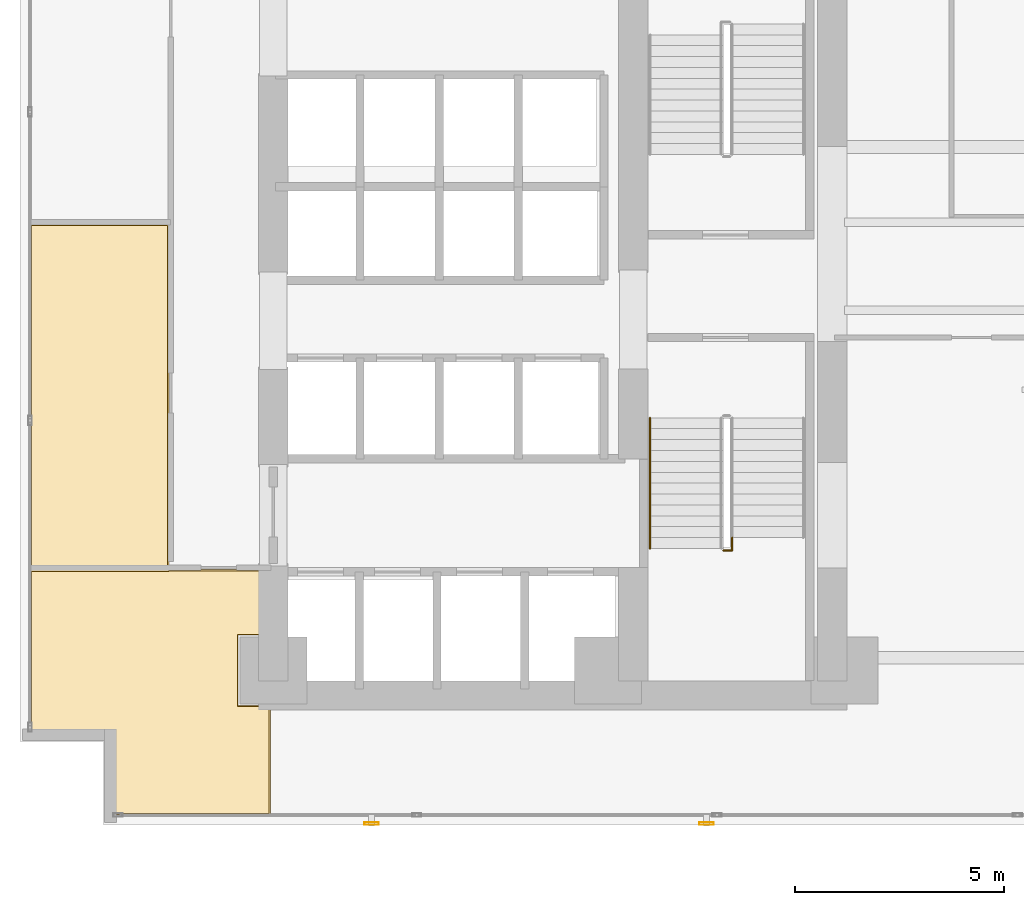
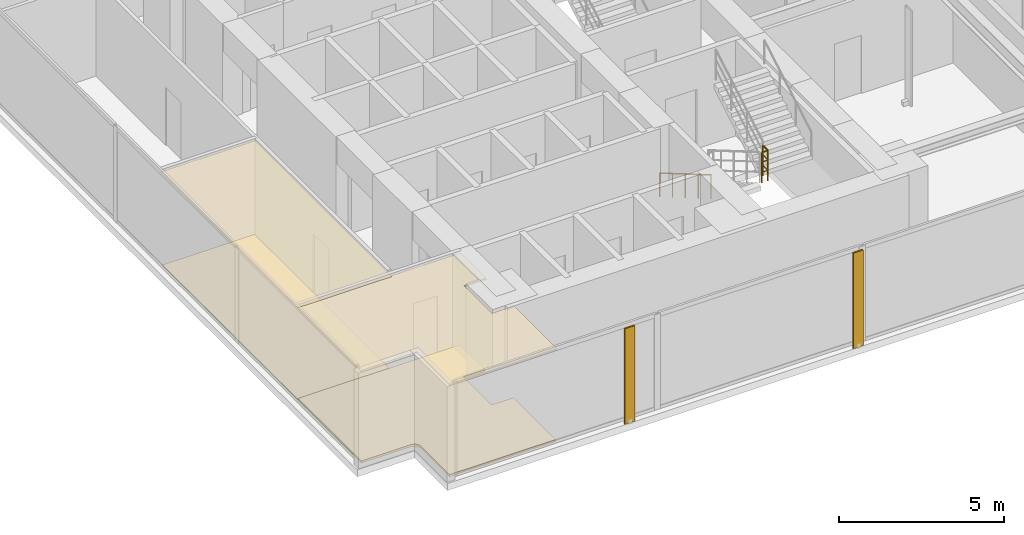
# One storey, part 27 of 31: 4 coverings, 2 railings, 2 shading devices.
"""IFC4 building model written with IfcOpenShell, lengths in metres."""

from ifc_helpers import new_model, si_unit, direction, frame, origin, origin_2d, place, context, subcontext, project, spatial, polyline, hollow_rectangle, circle, outline, extrude, material, layer, layer_set, material_profile, profile_set, type_object, element, save


model = new_model("IFC4")

# Units and contexts
model_context = context("Model", 3, precision=1e-05, world=origin(), true_north=direction((0.0, 1.0)))
body_context = subcontext(model_context, "Body", "Model", "MODEL_VIEW")
ifc_project = project(units=[si_unit("LENGTHUNIT", "METRE"), si_unit("AREAUNIT", "SQUARE_METRE"), si_unit("VOLUMEUNIT", "CUBIC_METRE"), si_unit("PLANEANGLEUNIT", "RADIAN"), si_unit("MASSUNIT", "GRAM", prefix="KILO")], contexts=[model_context])

# Site, building, storey
site_placement = place(None, origin())
site = spatial("IfcSite", under=ifc_project, at=site_placement, CompositionType="ELEMENT")
building_placement = place(site_placement, origin())
building = spatial("IfcBuilding", under=site, at=building_placement, Name="Kolvaren Waterfront Exchange", CompositionType="ELEMENT")
storey_placement = place(building_placement, frame((0.0, 0.0, 67.60009765625)))
storey = spatial("IfcBuildingStorey", under=building, at=storey_placement, Name="L17", CompositionType="ELEMENT", Elevation=67.60009765625)

# Coverings
ifc_material_1 = material(Name="Mineral fibre acoustic ceiling tile")
ifc_layer_1 = layer(ifc_material_1, 0.02490234375, Name="Mineral fibre acoustic ceiling tile")
ifc_layer_set_1 = layer_set([ifc_layer_1], Name="Mineral fibre acoustic ceiling tile")
covering_type_1 = type_object("IfcCoveringType", Name="ARC-CEIL-ACOUSTIC-25", PredefinedType="CEILING", material=ifc_layer_set_1)
covering_1_placement = place(storey_placement, frame((0.0, 0.0, 3.4248046875)))
element("IfcCovering", 1, at=covering_1_placement, inside=storey, type_object=covering_type_1, Name="L17 acoustic suspended ceiling 3", PredefinedType="CEILING", context=body_context, shape_type="SweptSolid", body=[
    extrude(outline(polyline([(1.64501953125, 7.2548828125), (4.955078125, 7.2548828125), (4.955078125, 15.554931640625), (1.64501953125, 15.554931640625), (1.64501953125, 7.2548828125)])), origin(), (0.0, 0.0, 1.0), 0.025146484375),
])
ifc_material_2 = material(Name="Perforated bronze acoustic ceiling panel", Category="aluminium")
ifc_layer_2 = layer(ifc_material_2, 0.054931640625, Name="Perforated bronze acoustic ceiling panel")
ifc_layer_set_2 = layer_set([ifc_layer_2], Name="Perforated bronze acoustic ceiling panel")
covering_type_2 = type_object("IfcCoveringType", Name="ARC-CEIL-BAFFLE-55", PredefinedType="CEILING", material=ifc_layer_set_2)
covering_2_placement = place(storey_placement, frame((0.0, 0.0, 3.39501953125)))
element("IfcCovering", 2, at=covering_2_placement, inside=storey, type_object=covering_type_2, Name="L17 acoustic suspended ceiling 2", PredefinedType="CEILING", context=body_context, shape_type="SweptSolid", body=[
    extrude(outline(polyline([(7.385009765625, 4.06005859375), (6.610107421875, 4.06005859375), (6.610107421875, 5.739990234375), (7.385009765625, 5.739990234375), (7.385009765625, 7.304931640625), (1.64501953125, 7.304931640625), (1.64501953125, 3.419921875), (3.6201171875, 3.419921875), (3.6201171875, 1.445068359375), (7.385009765625, 1.445068359375), (7.385009765625, 4.06005859375)])), origin(), (0.0, 0.0, 1.0), 0.054931640625),
])

# Shading devices
ifc_material_3 = material(Name="Anodised bronze aluminium 6063-T6", Category="aluminium")
ifc_material_profile = material_profile(ifc_material_3, hollow_rectangle(XDim=0.06005859375, YDim=0.35009765625, WallThickness=0.0048828125, at=origin_2d()), Name="BRZ-FIN-350x60x5")
ifc_profile_set = profile_set([ifc_material_profile], Name="Anodised bronze aluminium 6063-T6")
shading_device_type = type_object("IfcShadingDeviceType", Name="ARC-FIN-350", PredefinedType="USERDEFINED", material=ifc_profile_set)
for number, where, z_axis, x_axis, name in (
    (3, (9.800048828125, 1.239990234375, 0.0), (0.0, 0.0, 1.0), (0.0, -1.0, 0.0), "L17 anodised bronze solar shading fin FIN-L17-S1"),
    (4, (17.800048828125, 1.239990234375, 0.0), (0.0, 0.0, 1.0), (0.0, -1.0, 0.0), "L17 anodised bronze solar shading fin FIN-L17-S2"),
):
    element("IfcShadingDevice", number, at=place(storey_placement, frame(where, z_axis=z_axis, x_axis=x_axis)), inside=storey, type_object=shading_device_type, Name=name, ObjectType="SOLAR FIN", PredefinedType="USERDEFINED", context=body_context, shape_type="SweptSolid", body=[
        extrude(hollow_rectangle(XDim=0.06005859375, YDim=0.35009765625, WallThickness=0.0048828125, at=origin_2d()), origin(), (0.0, 0.0, 1.0), 3.539794921875),
    ])

# Coverings
ifc_material_4 = material(Name="Slip-resistant porcelain tile")
ifc_layer_3 = layer(ifc_material_4, 0.014892578125, Name="Slip-resistant porcelain tile")
ifc_layer_set_3 = layer_set([ifc_layer_3], Name="Slip-resistant porcelain tile")
covering_type_3 = type_object("IfcCoveringType", Name="ARC-FLR-PORC-15", PredefinedType="FLOORING", material=ifc_layer_set_3)
covering_3_placement = place(storey_placement, origin())
element("IfcCovering", 5, at=covering_3_placement, inside=storey, type_object=covering_type_3, Name="L17 floor finish 3", PredefinedType="FLOORING", context=body_context, shape_type="SweptSolid", body=[
    extrude(outline(polyline([(4.919921875, 15.52001953125), (1.679931640625, 15.52001953125), (1.679931640625, 7.2900390625), (4.919921875, 7.2900390625), (4.919921875, 15.52001953125)])), origin(), (0.0, 0.0, 1.0), 0.014892578125),
])
ifc_material_5 = material(Name="Raised access steel-cementitious floor panel", Category="steel")
ifc_layer_4 = layer(ifc_material_5, 0.080078125, Name="Raised access steel-cementitious floor panel")
ifc_layer_set_4 = layer_set([ifc_layer_4], Name="Raised access steel-cementitious floor panel")
covering_type_4 = type_object("IfcCoveringType", Name="ARC-FLR-RAISED-80", PredefinedType="FLOORING", material=ifc_layer_set_4)
covering_4_placement = place(storey_placement, origin())
element("IfcCovering", 6, at=covering_4_placement, inside=storey, type_object=covering_type_4, Name="L17 floor finish 2", PredefinedType="FLOORING", context=body_context, shape_type="SweptSolid", body=[
    extrude(outline(polyline([(7.35009765625, 7.27001953125), (1.679931640625, 7.27001953125), (1.679931640625, 3.43994140625), (3.39990234375, 3.43994140625), (3.423583984375, 3.438720703125), (3.44677734375, 3.435302734375), (3.4697265625, 3.4296875), (3.49169921875, 3.421630859375), (3.51318359375, 3.41162109375), (3.533203125, 3.399658203125), (3.55224609375, 3.385498046875), (3.569580078125, 3.36962890625), (3.58544921875, 3.352294921875), (3.599609375, 3.333251953125), (3.61181640625, 3.31298828125), (3.62158203125, 3.291748046875), (3.629638671875, 3.269775390625), (3.635498046875, 3.246826171875), (3.638916015625, 3.223388671875), (3.639892578125, 3.199951171875), (3.639892578125, 1.47998046875), (7.35009765625, 1.47998046875), (7.35009765625, 4.0400390625), (6.590087890625, 4.0400390625), (6.590087890625, 5.760009765625), (7.35009765625, 5.760009765625), (7.35009765625, 7.27001953125)])), origin(), (0.0, 0.0, 1.0), 0.079833984375),
])

# Railings
ifc_material_6 = material(Name="Stainless steel 316", Category="steel")
railing_type_1 = type_object("IfcRailingType", Name="ARC-GUARD-STAIR", PredefinedType="GUARDRAIL", material=ifc_material_6)
railing_1_placement = place(storey_placement, frame((18.199951171875, 7.760009765625, 1.975830078125)))
element("IfcRailing", 7, at=railing_1_placement, inside=storey, type_object=railing_type_1, Name="L17 ST1 stair guard 2", PredefinedType="GUARDRAIL", context=body_context, shape_type="SweptSolid", body=[
    extrude(circle(Radius=0.02392578125, at=origin_2d()), frame((0.0, 0.0, 1.1259765625), z_axis=(1.0, 0.0, 0.0), x_axis=(0.0, 1.0, 0.0)), (0.0, 0.0, 1.0), 0.2099609375),
    extrude(circle(Radius=0.01611328125, at=origin_2d()), frame((0.0, 0.0, 0.390869140625), z_axis=(1.0, 0.0, 0.0), x_axis=(0.0, 1.0, 0.0)), (0.0, 0.0, 1.0), 0.2099609375),
    extrude(circle(Radius=0.01611328125, at=origin_2d()), frame((0.0, 0.0, 0.7705078125), z_axis=(1.0, 0.0, 0.0), x_axis=(0.0, 1.0, 0.0)), (0.0, 0.0, 1.0), 0.2099609375),
    extrude(circle(Radius=0.02392578125, at=origin_2d()), frame((0.2099609375, 0.0, 1.1259765625), z_axis=(0.0, 1.0, 0.0), x_axis=(-1.0, 0.0, 0.0)), (0.0, 0.0, 1.0), 0.31005859375),
    extrude(circle(Radius=0.01611328125, at=origin_2d()), frame((0.2099609375, 0.0, 0.390869140625), z_axis=(0.0, 1.0, 0.0), x_axis=(-1.0, 0.0, 0.0)), (0.0, 0.0, 1.0), 0.31005859375),
    extrude(circle(Radius=0.01611328125, at=origin_2d()), frame((0.2099609375, 0.0, 0.7705078125), z_axis=(0.0, 1.0, 0.0), x_axis=(-1.0, 0.0, 0.0)), (0.0, 0.0, 1.0), 0.31005859375),
    extrude(circle(Radius=0.02099609375, at=origin_2d()), origin(), (0.0, 0.0, 1.0), 1.101806640625),
    extrude(circle(Radius=0.02099609375, at=origin_2d()), frame((0.2099609375, 0.0, 0.0)), (0.0, 0.0, 1.0), 1.101806640625),
    extrude(circle(Radius=0.02099609375, at=origin_2d()), frame((0.2099609375, 0.31005859375, 0.0)), (0.0, 0.0, 1.0), 1.101806640625),
])
railing_type_2 = type_object("IfcRailingType", Name="ARC-HANDRAIL-900", PredefinedType="HANDRAIL", material=ifc_material_6)
railing_2_placement = place(storey_placement, frame((16.449951171875, 10.929931640625, 0.15185546875)))
element("IfcRailing", 8, at=railing_2_placement, inside=storey, type_object=railing_type_2, Name="L17 ST1 stair handrail 1", PredefinedType="HANDRAIL", context=body_context, shape_type="SweptSolid", body=[
    extrude(circle(Radius=0.02392578125, at=origin_2d()), frame((0.0, 0.0, 0.8759765625), z_axis=(0.0, -0.86329090724, 0.504706656858), x_axis=(1.0, 0.0, 0.0)), (0.0, 0.0, 1.0), 3.614013671875),
    extrude(circle(Radius=0.02099609375, at=origin_2d()), origin(), (0.0, 0.0, 1.0), 0.851806640625),
    extrude(circle(Radius=0.02099609375, at=origin_2d()), frame((0.0, -0.780029296875, 0.4560546875)), (0.0, 0.0, 1.0), 0.851806640625),
    extrude(circle(Radius=0.02099609375, at=origin_2d()), frame((0.0, -1.56005859375, 0.912109375)), (0.0, 0.0, 1.0), 0.851806640625),
    extrude(circle(Radius=0.02099609375, at=origin_2d()), frame((0.0, -2.33984375, 1.367919921875)), (0.0, 0.0, 1.0), 0.851806640625),
    extrude(circle(Radius=0.02099609375, at=origin_2d()), frame((0.0, -3.119873046875, 1.823974609375)), (0.0, 0.0, 1.0), 0.851806640625),
])

save(model, "model.ifc")
